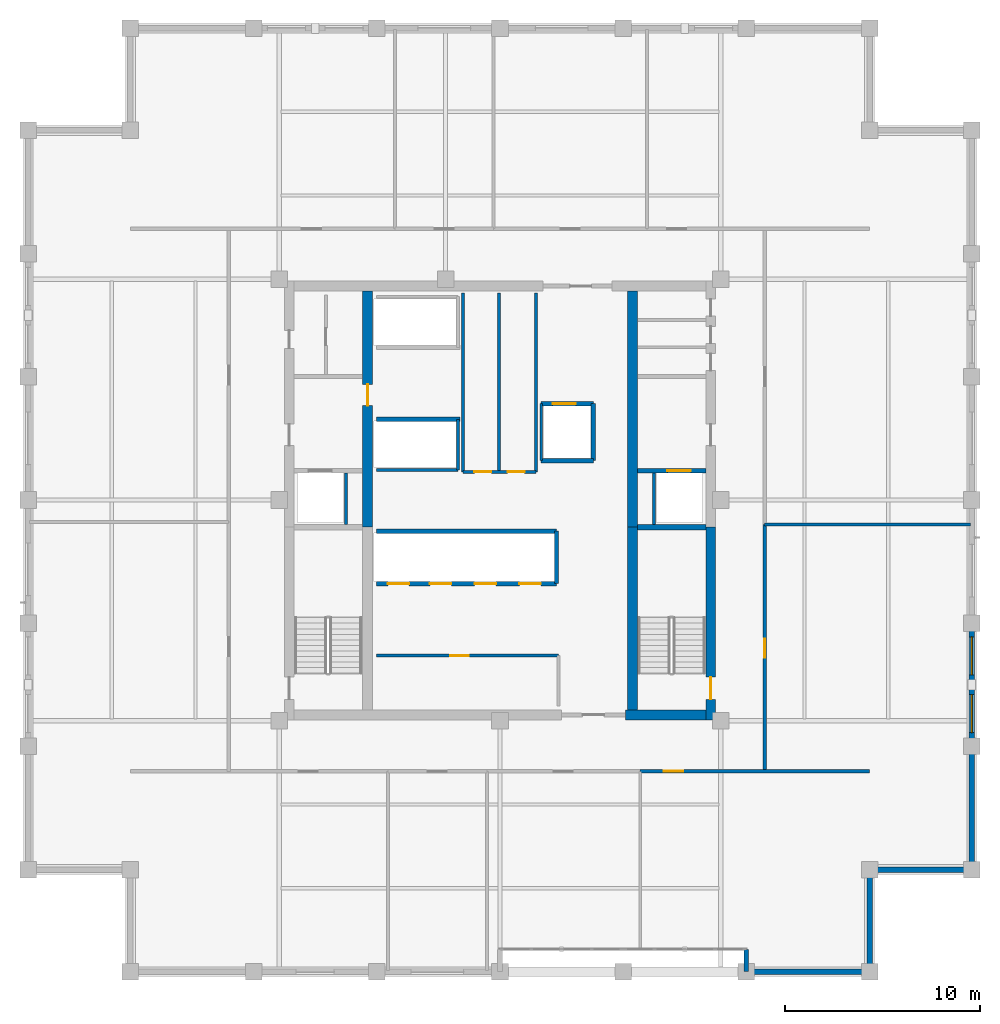
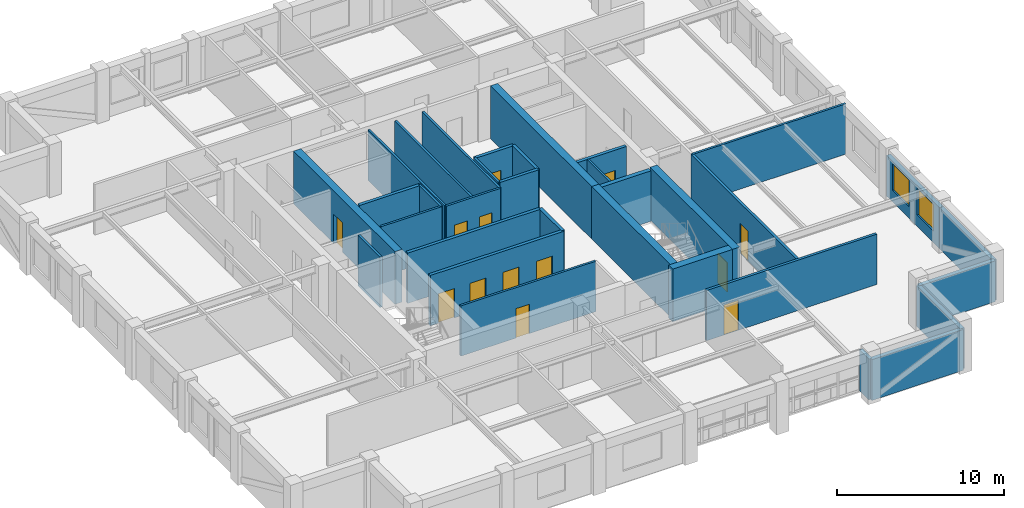
# One storey, part 10 of 13: 33 walls, 13 doors, 2 windows, 15 openings.
"""IFC4 building model written with IfcOpenShell, lengths in metres."""

from ifc_helpers import new_model, si_unit, direction, frame, frame_2d, origin, place, context, subcontext, project, spatial, rectangle, extrude, material, layer, layer_set, type_object, element, fill, save


model = new_model("IFC4")

# Units and contexts
model_context = context("Model", 3, precision=1e-05, world=origin(), true_north=direction((0.0, 1.0)))
body_context = subcontext(model_context, "Body", "Model", "MODEL_VIEW")
ifc_project = project(units=[si_unit("LENGTHUNIT", "METRE"), si_unit("AREAUNIT", "SQUARE_METRE"), si_unit("VOLUMEUNIT", "CUBIC_METRE"), si_unit("PLANEANGLEUNIT", "RADIAN"), si_unit("MASSUNIT", "GRAM", prefix="KILO")], contexts=[model_context])

# Site, building, storey
site_placement = place(None, origin())
site = spatial("IfcSite", under=ifc_project, at=site_placement, CompositionType="ELEMENT")
building_placement = place(site_placement, origin())
building = spatial("IfcBuilding", under=site, at=building_placement, Name="Nhamokura Convention Tower", CompositionType="ELEMENT")
storey_placement = place(building_placement, frame((0.0, 0.0, 206.14990234375)))
storey = spatial("IfcBuildingStorey", under=building, at=storey_placement, Name="L50", CompositionType="ELEMENT", Elevation=206.14990234375)

# Walls
ifc_material_1 = material(Name="Bronze-pigmented precast concrete C45/55", Category="concrete")
ifc_layer_1 = layer(ifc_material_1, 0.280029296875)
ifc_layer_set_1 = layer_set([ifc_layer_1], Name="BronzePrecastSpandrel_280")
wall_type_1 = type_object("IfcWallType", Name="BronzePrecastSpandrel_280", PredefinedType="USERDEFINED", material=ifc_layer_set_1)
wall_1_placement = place(storey_placement, frame((44.666748046875, 7.75, 0.0), z_axis=(0.0, 0.0, 1.0), x_axis=(0.0, 1.0, 0.0)))
element("IfcWall", 1, at=wall_1_placement, inside=storey, type_object=wall_type_1, Name="L50 Scale Slot Cheek Wall SOUTHB", ObjectType="SPANDREL_WALL", PredefinedType="USERDEFINED", context=body_context, shape_type="SweptSolid", body=[
    extrude(rectangle(XDim=1.14990234375, YDim=0.239990234375, at=frame_2d((0.574951171875, 0.0))), origin(), (0.0, 0.0, 1.0), 2.985107421875),
])
for number, where, z_axis, x_axis, name in (
    (2, (51.0, 7.75, 0.0), (0.0, 0.0, 1.0), (-1.0, 0.0, 0.0), "L50 Braced-Bay Precast Wall SOUTH 5"),
    (3, (56.25, 19.333251953125, 0.0), (0.0, 0.0, 1.0), (0.0, -1.0, 0.0), "L50 Braced-Bay Precast Wall EAST 0"),
):
    element("IfcWall", number, at=place(storey_placement, frame(where, z_axis=z_axis, x_axis=x_axis)), inside=storey, type_object=wall_type_1, Name=name, ObjectType="SPANDREL_WALL", PredefinedType="USERDEFINED", context=body_context, shape_type="SweptSolid", body=[
        extrude(rectangle(XDim=6.333251953125, YDim=0.280029296875, at=frame_2d((3.16650390625, 0.0))), origin(), (0.0, 0.0, 1.0), 2.985107421875),
    ])

# Wall, openings, windows
wall_2_placement = place(storey_placement, frame((56.25, 25.666748046875, 0.0), z_axis=(0.0, 0.0, 1.0), x_axis=(0.0, -1.0, 0.0)))
wall_2 = element("IfcWall", 4, at=wall_2_placement, inside=storey, type_object=wall_type_1, Name="L50 Masonry-Frame Wall EAST 1", ObjectType="SPANDREL_WALL", PredefinedType="USERDEFINED", context=body_context, shape_type="SweptSolid", body=[
    extrude(rectangle(XDim=6.33349609375, YDim=0.280029296875, at=frame_2d((3.166748046875, 0.0))), origin(), (0.0, 0.0, 1.0), 2.985107421875),
])
opening_1_placement = place(wall_2_placement, frame((0.708251953125, 0.0, 0.85009765625)))
opening_1 = element("IfcOpeningElement", 5, at=opening_1_placement, cuts=wall_2, Name="Opening W-08", PredefinedType="OPENING", context=body_context, shape_type="SweptSolid", body=[
    extrude(rectangle(XDim=1.949951171875, YDim=1.93505859375, at=frame_2d((0.97509765625, 0.967529296875))), frame((0.0, 0.14990234375, 0.0), z_axis=(0.0, -1.0, 0.0), x_axis=(1.0, 0.0, 0.0)), (0.0, 0.0, 1.0), 0.300048828125),
])
opening_2_placement = place(wall_2_placement, frame((3.675048828125, 0.0, 0.85009765625)))
opening_2 = element("IfcOpeningElement", 6, at=opening_2_placement, cuts=wall_2, Name="Opening W-08", PredefinedType="OPENING", context=body_context, shape_type="SweptSolid", body=[
    extrude(rectangle(XDim=1.949951171875, YDim=1.93505859375, at=frame_2d((0.97509765625, 0.967529296875))), frame((0.0, 0.14990234375, 0.0), z_axis=(0.0, -1.0, 0.0), x_axis=(1.0, 0.0, 0.0)), (0.0, 0.0, 1.0), 0.300048828125),
])
ifc_material_2 = material(Name="Solar-control bronze low-E double glass", Category="glass")
window_type = type_object("IfcWindowType", Name="OfficeModuleWindow_Z3_1950", PartitioningType="SINGLE_PANEL", PredefinedType="WINDOW", material=ifc_material_2)
window_1_placement = place(opening_1_placement, origin())
window_1 = element("IfcWindow", 7, at=window_1_placement, inside=storey, type_object=window_type, Name="L50 Facade Window EAST 1-1", OverallHeight=1.93505859375, OverallWidth=1.949951171875, PartitioningType="SINGLE_PANEL", PredefinedType="WINDOW", context=body_context, shape_type="SweptSolid", body=[
    extrude(rectangle(XDim=1.949951171875, YDim=1.93505859375, at=frame_2d((0.97509765625, 0.967529296875))), frame((0.0, 0.030029296875, 0.0), z_axis=(0.0, -1.0, 0.0), x_axis=(1.0, 0.0, 0.0)), (0.0, 0.0, 1.0), 0.06005859375),
])
fill(opening_1, window_1)
window_2_placement = place(opening_2_placement, origin())
window_2 = element("IfcWindow", 8, at=window_2_placement, inside=storey, type_object=window_type, Name="L50 Facade Window EAST 1-2", OverallHeight=1.93505859375, OverallWidth=1.949951171875, PartitioningType="SINGLE_PANEL", PredefinedType="WINDOW", context=body_context, shape_type="SweptSolid", body=[
    extrude(rectangle(XDim=1.949951171875, YDim=1.93505859375, at=frame_2d((0.97509765625, 0.967529296875))), frame((0.0, 0.030029296875, 0.0), z_axis=(0.0, -1.0, 0.0), x_axis=(1.0, 0.0, 0.0)), (0.0, 0.0, 1.0), 0.06005859375),
])
fill(opening_2, window_2)

# Walls
for number, where, z_axis, x_axis, name in (
    (9, (51.0, 13.0, 0.0), (0.0, 0.0, 1.0), (0.0, -1.0, 0.0), "L50 Notched Corner Wall SE1"),
    (10, (56.25, 13.0, 0.0), (0.0, 0.0, 1.0), (-1.0, 0.0, 0.0), "L50 Notched Corner Wall SE2"),
):
    element("IfcWall", number, at=place(storey_placement, frame(where, z_axis=z_axis, x_axis=x_axis)), inside=storey, type_object=wall_type_1, Name=name, ObjectType="SPANDREL_WALL", PredefinedType="USERDEFINED", context=body_context, shape_type="SweptSolid", body=[
        extrude(rectangle(XDim=5.25, YDim=0.280029296875, at=frame_2d((2.625, 0.0))), origin(), (0.0, 0.0, 1.0), 2.985107421875),
    ])

# Wall, opening, door
ifc_material_3 = material(Name="Concrete C60/75", Category="concrete")
ifc_layer_2 = layer(ifc_material_3, 0.5)
ifc_layer_set_2 = layer_set([ifc_layer_2], Name="CoreShearWall_500")
wall_type_2 = type_object("IfcWallType", Name="CoreShearWall_500", PredefinedType="SHEAR", material=ifc_layer_set_2)
wall_3_placement = place(storey_placement, frame((42.840087890625, 20.699951171875, 0.0), z_axis=(0.0, 0.0, 1.0), x_axis=(0.0, 1.0, 0.0)))
wall_3 = element("IfcWall", 11, at=wall_3_placement, inside=storey, type_object=wall_type_2, Name="L50 Core Shear Wall CW-ES", PredefinedType="SHEAR", context=body_context, shape_type="SweptSolid", body=[
    extrude(rectangle(XDim=9.900146484375, YDim=0.5, at=frame_2d((4.9501953125, 0.0))), origin(), (0.0, 0.0, 1.0), 3.85009765625),
])
opening_3_placement = place(wall_3_placement, frame((1.050048828125, 0.0, 0.0)))
opening_3 = element("IfcOpeningElement", 12, at=opening_3_placement, cuts=wall_3, Name="Opening D-04", PredefinedType="OPENING", context=body_context, shape_type="SweptSolid", body=[
    extrude(rectangle(XDim=1.14990234375, YDim=2.14990234375, at=frame_2d((0.574951171875, 1.074951171875))), frame((0.0, 0.260009765625, 0.0), z_axis=(0.0, -1.0, 0.0), x_axis=(1.0, 0.0, 0.0)), (0.0, 0.0, 1.0), 0.52001953125),
])
ifc_material_4 = material(Name="Fire-rated steel door", Category="steel")
door_type_1 = type_object("IfcDoorType", Name="StairSmokeDoor_1150", OperationType="NOTDEFINED", PredefinedType="DOOR", material=ifc_material_4)
door_1_placement = place(opening_3_placement, origin())
door_1 = element("IfcDoor", 13, at=door_1_placement, inside=storey, type_object=door_type_1, Name="L50 Core Door INT-L50-D-ST02", OperationType="SINGLE_SWING_RIGHT", OverallHeight=2.14990234375, OverallWidth=1.14990234375, PredefinedType="DOOR", context=body_context, shape_type="SweptSolid", body=[
    extrude(rectangle(XDim=1.14990234375, YDim=2.14990234375, at=frame_2d((0.574951171875, 1.074951171875))), frame((0.0, 0.02490234375, 0.0), z_axis=(0.0, -1.0, 0.0), x_axis=(1.0, 0.0, 0.0)), (0.0, 0.0, 1.0), 0.050048828125),
])
fill(opening_3, door_1)

# Wall
wall_4_placement = place(storey_placement, frame((38.449951171875, 20.949951171875, 0.0), z_axis=(0.0, 0.0, 1.0), x_axis=(1.0, 0.0, 0.0)))
element("IfcWall", 14, at=wall_4_placement, inside=storey, type_object=wall_type_2, Name="L50 Core Shear Wall CW-S2", PredefinedType="SHEAR", context=body_context, shape_type="SweptSolid", body=[
    extrude(rectangle(XDim=4.14013671875, YDim=0.5, at=frame_2d((2.070068359375, 0.0))), origin(), (0.0, 0.0, 1.0), 3.85009765625),
])

# Wall, opening, door
wall_5_placement = place(storey_placement, frame((25.18994140625, 30.60009765625, 0.0), z_axis=(0.0, 0.0, 1.0), x_axis=(0.0, 1.0, 0.0)))
wall_5 = element("IfcWall", 15, at=wall_5_placement, inside=storey, type_object=wall_type_2, Name="L50 Core Shear Wall CW-IWN", PredefinedType="SHEAR", context=body_context, shape_type="SweptSolid", body=[
    extrude(rectangle(XDim=12.14990234375, YDim=0.5, at=frame_2d((6.074951171875, 0.0))), origin(), (0.0, 0.0, 1.0), 3.85009765625),
])
opening_4_placement = place(wall_5_placement, frame((6.25, 0.0, 0.0)))
opening_4 = element("IfcOpeningElement", 16, at=opening_4_placement, cuts=wall_5, Name="Opening D-05", PredefinedType="OPENING", context=body_context, shape_type="SweptSolid", body=[
    extrude(rectangle(XDim=1.10009765625, YDim=2.14990234375, at=frame_2d((0.550048828125, 1.074951171875))), frame((0.0, 0.260009765625, 0.0), z_axis=(0.0, -1.0, 0.0), x_axis=(1.0, 0.0, 0.0)), (0.0, 0.0, 1.0), 0.52001953125),
])
ifc_material_5 = material(Name="Fire-rated steel door", Category="steel")
door_type_2 = type_object("IfcDoorType", Name="FireLobbyDoor_1100", OperationType="NOTDEFINED", PredefinedType="DOOR", material=ifc_material_5)
door_2_placement = place(opening_4_placement, origin())
door_2 = element("IfcDoor", 17, at=door_2_placement, inside=storey, type_object=door_type_2, Name="L50 Core Door INT-L50-D-B3LOB", OperationType="SINGLE_SWING_LEFT", OverallHeight=2.14990234375, OverallWidth=1.10009765625, PredefinedType="DOOR", context=body_context, shape_type="SweptSolid", body=[
    extrude(rectangle(XDim=1.10009765625, YDim=2.14990234375, at=frame_2d((0.550048828125, 1.074951171875))), frame((0.0, 0.02490234375, 0.0), z_axis=(0.0, -1.0, 0.0), x_axis=(1.0, 0.0, 0.0)), (0.0, 0.0, 1.0), 0.050048828125),
])
fill(opening_4, door_2)

# Walls
wall_6_placement = place(storey_placement, frame((38.81005859375, 21.199951171875, 0.0), z_axis=(0.0, 0.0, 1.0), x_axis=(0.0, 1.0, 0.0)))
element("IfcWall", 18, at=wall_6_placement, inside=storey, type_object=wall_type_2, Name="L50 Core Shear Wall CW-IES", PredefinedType="SHEAR", context=body_context, shape_type="SweptSolid", body=[
    extrude(rectangle(XDim=9.400146484375, YDim=0.5, at=frame_2d((4.7001953125, 0.0))), origin(), (0.0, 0.0, 1.0), 3.85009765625),
])
wall_7_placement = place(storey_placement, frame((38.81005859375, 30.60009765625, 0.0), z_axis=(0.0, 0.0, 1.0), x_axis=(0.0, 1.0, 0.0)))
element("IfcWall", 19, at=wall_7_placement, inside=storey, type_object=wall_type_2, Name="L50 Core Shear Wall CW-IEN", PredefinedType="SHEAR", context=body_context, shape_type="SweptSolid", body=[
    extrude(rectangle(XDim=12.14990234375, YDim=0.5, at=frame_2d((6.074951171875, 0.0))), origin(), (0.0, 0.0, 1.0), 3.85009765625),
])

# Wall, opening, door
ifc_material_6 = material(Name="Fire-rated gypsum and masonry partition", Category="masonry")
ifc_layer_3 = layer(ifc_material_6, 0.179931640625)
ifc_layer_set_3 = layer_set([ifc_layer_3], Name="CorridorRatedWall_180")
wall_type_3 = type_object("IfcWallType", Name="CorridorRatedWall_180", PredefinedType="STANDARD", material=ifc_layer_set_3)
wall_8_placement = place(storey_placement, frame((39.208251953125, 18.050048828125, 0.0), z_axis=(0.0, 0.0, 1.0), x_axis=(1.0, 0.0, 0.0)))
wall_8 = element("IfcWall", 20, at=wall_8_placement, inside=storey, type_object=wall_type_3, Name="L50 Wall INT-L50-CW-S03", PredefinedType="STANDARD", context=body_context, shape_type="SweptSolid", body=[
    extrude(rectangle(XDim=11.791748046875, YDim=0.179931640625, at=frame_2d((5.89599609375, 0.0))), origin(), (0.0, 0.0, 1.0), 3.68505859375),
])
opening_5_placement = place(wall_8_placement, frame((1.220703125, 0.0, 0.0)))
opening_5 = element("IfcOpeningElement", 21, at=opening_5_placement, cuts=wall_8, Name="Opening D-08", PredefinedType="OPENING", context=body_context, shape_type="SweptSolid", body=[
    extrude(rectangle(XDim=0.97998046875, YDim=2.199951171875, at=frame_2d((0.489990234375, 1.10009765625))), frame((0.0, 0.099853515625, 0.0), z_axis=(0.0, -1.0, 0.0), x_axis=(1.0, 0.0, 0.0)), (0.0, 0.0, 1.0), 0.199951171875),
])
ifc_material_7 = material(Name="Solid oak hardwood", Category="wood")
door_type_3 = type_object("IfcDoorType", Name="OfficeEntryDoor_980", OperationType="NOTDEFINED", PredefinedType="DOOR", material=ifc_material_7)
door_3_placement = place(opening_5_placement, origin())
door_3 = element("IfcDoor", 22, at=door_3_placement, inside=storey, type_object=door_type_3, Name="L50 Private Office S04 Door", OperationType="SINGLE_SWING_RIGHT", OverallHeight=2.199951171875, OverallWidth=0.97998046875, PredefinedType="DOOR", context=body_context, shape_type="SweptSolid", body=[
    extrude(rectangle(XDim=0.97998046875, YDim=2.199951171875, at=frame_2d((0.489990234375, 1.10009765625))), frame((0.0, 0.02490234375, 0.0), z_axis=(0.0, -1.0, 0.0), x_axis=(1.0, 0.0, 0.0)), (0.0, 0.0, 1.0), 0.050048828125),
])
fill(opening_5, door_3)

wall_9_placement = place(storey_placement, frame((45.60009765625, 18.050048828125, 0.0), z_axis=(0.0, 0.0, 1.0), x_axis=(0.0, 1.0, 0.0)))
wall_9 = element("IfcWall", 23, at=wall_9_placement, inside=storey, type_object=wall_type_3, Name="L50 Wall INT-L50-CW-E00", PredefinedType="STANDARD", context=body_context, shape_type="SweptSolid", body=[
    extrude(rectangle(XDim=12.699951171875, YDim=0.179931640625, at=frame_2d((6.35009765625, 0.0))), origin(), (0.0, 0.0, 1.0), 3.68505859375),
])
opening_6_placement = place(wall_9_placement, frame((5.85009765625, 0.0, 0.0)))
opening_6 = element("IfcOpeningElement", 24, at=opening_6_placement, cuts=wall_9, Name="Opening D-08", PredefinedType="OPENING", context=body_context, shape_type="SweptSolid", body=[
    extrude(rectangle(XDim=0.97998046875, YDim=2.199951171875, at=frame_2d((0.489990234375, 1.10009765625))), frame((0.0, 0.099853515625, 0.0), z_axis=(0.0, -1.0, 0.0), x_axis=(1.0, 0.0, 0.0)), (0.0, 0.0, 1.0), 0.199951171875),
])
door_4_placement = place(opening_6_placement, origin())
door_4 = element("IfcDoor", 25, at=door_4_placement, inside=storey, type_object=door_type_3, Name="L50 Open Plan Office E01 Door", OperationType="SINGLE_SWING_LEFT", OverallHeight=2.199951171875, OverallWidth=0.97998046875, PredefinedType="DOOR", context=body_context, shape_type="SweptSolid", body=[
    extrude(rectangle(XDim=0.97998046875, YDim=2.199951171875, at=frame_2d((0.489990234375, 1.10009765625))), frame((0.0, 0.02490234375, 0.0), z_axis=(0.0, -1.0, 0.0), x_axis=(1.0, 0.0, 0.0)), (0.0, 0.0, 1.0), 0.050048828125),
])
fill(opening_6, door_4)

ifc_material_8 = material(Name="Autoclaved concrete blockwork", Category="masonry")
ifc_layer_4 = layer(ifc_material_8, 0.219970703125)
ifc_layer_set_4 = layer_set([ifc_layer_4], Name="FireLobbyWall_220")
wall_type_4 = type_object("IfcWallType", Name="FireLobbyWall_220", PredefinedType="STANDARD", material=ifc_layer_set_4)
wall_10_placement = place(storey_placement, frame((39.06005859375, 33.5, 0.0), z_axis=(0.0, 0.0, 1.0), x_axis=(1.0, 0.0, 0.0)))
wall_10 = element("IfcWall", 26, at=wall_10_placement, inside=storey, type_object=wall_type_4, Name="L50 Wall INT-L50-FFE-S", PredefinedType="STANDARD", context=body_context, shape_type="SweptSolid", body=[
    extrude(rectangle(XDim=3.530029296875, YDim=0.219970703125, at=frame_2d((1.76513671875, 0.0))), origin(), (0.0, 0.0, 1.0), 3.68505859375),
])
opening_7_placement = place(wall_10_placement, frame((1.550048828125, 0.0, 0.0)))
opening_7 = element("IfcOpeningElement", 27, at=opening_7_placement, cuts=wall_10, Name="Opening LD-02", PredefinedType="OPENING", context=body_context, shape_type="SweptSolid", body=[
    extrude(rectangle(XDim=1.199951171875, YDim=2.199951171875, at=frame_2d((0.60009765625, 1.10009765625))), frame((0.0, 0.119873046875, 0.0), z_axis=(0.0, -1.0, 0.0), x_axis=(1.0, 0.0, 0.0)), (0.0, 0.0, 1.0), 0.239990234375),
])
ifc_material_9 = material(Name="Anodised bronze stainless steel", Category="steel")
door_type_4 = type_object("IfcDoorType", Name="LiftLandingDoor_FireService", OperationType="DOUBLE_DOOR_SLIDING", PredefinedType="DOOR", material=ifc_material_9)
door_5_placement = place(opening_7_placement, origin())
door_5 = element("IfcDoor", 28, at=door_5_placement, inside=storey, type_object=door_type_4, Name="L50 Firefighting Lift LF-02 Door", OperationType="DOUBLE_DOOR_SLIDING", OverallHeight=2.199951171875, OverallWidth=1.199951171875, PredefinedType="DOOR", context=body_context, shape_type="SweptSolid", body=[
    extrude(rectangle(XDim=1.199951171875, YDim=2.199951171875, at=frame_2d((0.60009765625, 1.10009765625))), frame((0.0, 0.02490234375, 0.0), z_axis=(0.0, -1.0, 0.0), x_axis=(1.0, 0.0, 0.0)), (0.0, 0.0, 1.0), 0.050048828125),
])
fill(opening_7, door_5)

# Wall, openings, doors
wall_11_placement = place(storey_placement, frame((25.64990234375, 27.699951171875, 0.0), z_axis=(0.0, 0.0, 1.0), x_axis=(1.0, 0.0, 0.0)))
wall_11 = element("IfcWall", 29, at=wall_11_placement, inside=storey, type_object=wall_type_4, Name="L50 Wall INT-L50-B2S", PredefinedType="STANDARD", context=body_context, shape_type="SweptSolid", body=[
    extrude(rectangle(XDim=9.25, YDim=0.219970703125, at=frame_2d((4.625, 0.0))), origin(), (0.0, 0.0, 1.0), 3.68505859375),
])
opening_8_placement = place(wall_11_placement, frame((0.580078125, 0.0, 0.0)))
opening_8 = element("IfcOpeningElement", 30, at=opening_8_placement, cuts=wall_11, Name="Opening LD-01", PredefinedType="OPENING", context=body_context, shape_type="SweptSolid", body=[
    extrude(rectangle(XDim=1.10009765625, YDim=2.14990234375, at=frame_2d((0.550048828125, 1.074951171875))), frame((0.0, 0.119873046875, 0.0), z_axis=(0.0, -1.0, 0.0), x_axis=(1.0, 0.0, 0.0)), (0.0, 0.0, 1.0), 0.239990234375),
])
opening_9_placement = place(wall_11_placement, frame((2.75, 0.0, 0.0)))
opening_9 = element("IfcOpeningElement", 31, at=opening_9_placement, cuts=wall_11, Name="Opening LD-01", PredefinedType="OPENING", context=body_context, shape_type="SweptSolid", body=[
    extrude(rectangle(XDim=1.10009765625, YDim=2.14990234375, at=frame_2d((0.550048828125, 1.074951171875))), frame((0.0, 0.119873046875, 0.0), z_axis=(0.0, -1.0, 0.0), x_axis=(1.0, 0.0, 0.0)), (0.0, 0.0, 1.0), 0.239990234375),
])
opening_10_placement = place(wall_11_placement, frame((5.050048828125, 0.0, 0.0)))
opening_10 = element("IfcOpeningElement", 32, at=opening_10_placement, cuts=wall_11, Name="Opening LD-01", PredefinedType="OPENING", context=body_context, shape_type="SweptSolid", body=[
    extrude(rectangle(XDim=1.10009765625, YDim=2.14990234375, at=frame_2d((0.550048828125, 1.074951171875))), frame((0.0, 0.119873046875, 0.0), z_axis=(0.0, -1.0, 0.0), x_axis=(1.0, 0.0, 0.0)), (0.0, 0.0, 1.0), 0.239990234375),
])
opening_11_placement = place(wall_11_placement, frame((7.35009765625, 0.0, 0.0)))
opening_11 = element("IfcOpeningElement", 33, at=opening_11_placement, cuts=wall_11, Name="Opening LD-01", PredefinedType="OPENING", context=body_context, shape_type="SweptSolid", body=[
    extrude(rectangle(XDim=1.10009765625, YDim=2.14990234375, at=frame_2d((0.550048828125, 1.074951171875))), frame((0.0, 0.119873046875, 0.0), z_axis=(0.0, -1.0, 0.0), x_axis=(1.0, 0.0, 0.0)), (0.0, 0.0, 1.0), 0.239990234375),
])
ifc_material_10 = material(Name="Anodised bronze stainless steel", Category="steel")
door_type_5 = type_object("IfcDoorType", Name="LiftLandingDoor_Passenger", OperationType="DOUBLE_DOOR_SLIDING", PredefinedType="DOOR", material=ifc_material_10)
door_6_placement = place(opening_8_placement, origin())
door_6 = element("IfcDoor", 34, at=door_6_placement, inside=storey, type_object=door_type_5, Name="L50 Lift LP-05 Landing Door", OperationType="DOUBLE_DOOR_SLIDING", OverallHeight=2.14990234375, OverallWidth=1.10009765625, PredefinedType="DOOR", context=body_context, shape_type="SweptSolid", body=[
    extrude(rectangle(XDim=1.10009765625, YDim=2.14990234375, at=frame_2d((0.550048828125, 1.074951171875))), frame((0.0, 0.02490234375, 0.0), z_axis=(0.0, -1.0, 0.0), x_axis=(1.0, 0.0, 0.0)), (0.0, 0.0, 1.0), 0.050048828125),
])
fill(opening_8, door_6)
door_7_placement = place(opening_9_placement, origin())
door_7 = element("IfcDoor", 35, at=door_7_placement, inside=storey, type_object=door_type_5, Name="L50 Lift LP-06 Landing Door", OperationType="DOUBLE_DOOR_SLIDING", OverallHeight=2.14990234375, OverallWidth=1.10009765625, PredefinedType="DOOR", context=body_context, shape_type="SweptSolid", body=[
    extrude(rectangle(XDim=1.10009765625, YDim=2.14990234375, at=frame_2d((0.550048828125, 1.074951171875))), frame((0.0, 0.02490234375, 0.0), z_axis=(0.0, -1.0, 0.0), x_axis=(1.0, 0.0, 0.0)), (0.0, 0.0, 1.0), 0.050048828125),
])
fill(opening_9, door_7)
door_8_placement = place(opening_10_placement, origin())
door_8 = element("IfcDoor", 36, at=door_8_placement, inside=storey, type_object=door_type_5, Name="L50 Lift LP-07 Landing Door", OperationType="DOUBLE_DOOR_SLIDING", OverallHeight=2.14990234375, OverallWidth=1.10009765625, PredefinedType="DOOR", context=body_context, shape_type="SweptSolid", body=[
    extrude(rectangle(XDim=1.10009765625, YDim=2.14990234375, at=frame_2d((0.550048828125, 1.074951171875))), frame((0.0, 0.02490234375, 0.0), z_axis=(0.0, -1.0, 0.0), x_axis=(1.0, 0.0, 0.0)), (0.0, 0.0, 1.0), 0.050048828125),
])
fill(opening_10, door_8)
door_9_placement = place(opening_11_placement, origin())
door_9 = element("IfcDoor", 37, at=door_9_placement, inside=storey, type_object=door_type_5, Name="L50 Lift LP-08 Landing Door", OperationType="DOUBLE_DOOR_SLIDING", OverallHeight=2.14990234375, OverallWidth=1.10009765625, PredefinedType="DOOR", context=body_context, shape_type="SweptSolid", body=[
    extrude(rectangle(XDim=1.10009765625, YDim=2.14990234375, at=frame_2d((0.550048828125, 1.074951171875))), frame((0.0, 0.02490234375, 0.0), z_axis=(0.0, -1.0, 0.0), x_axis=(1.0, 0.0, 0.0)), (0.0, 0.0, 1.0), 0.050048828125),
])
fill(opening_11, door_9)

# Walls
wall_12_placement = place(storey_placement, frame((25.64990234375, 30.39990234375, 0.0), z_axis=(0.0, 0.0, 1.0), x_axis=(1.0, 0.0, 0.0)))
element("IfcWall", 38, at=wall_12_placement, inside=storey, type_object=wall_type_4, Name="L50 Wall INT-L50-B2N", PredefinedType="STANDARD", context=body_context, shape_type="SweptSolid", body=[
    extrude(rectangle(XDim=9.25, YDim=0.219970703125, at=frame_2d((4.625, 0.0))), origin(), (0.0, 0.0, 1.0), 3.68505859375),
])
wall_13_placement = place(storey_placement, frame((34.89990234375, 27.699951171875, 0.0), z_axis=(0.0, 0.0, 1.0), x_axis=(0.0, 1.0, 0.0)))
element("IfcWall", 39, at=wall_13_placement, inside=storey, type_object=wall_type_4, Name="L50 Wall INT-L50-B2E", PredefinedType="STANDARD", context=body_context, shape_type="SweptSolid", body=[
    extrude(rectangle(XDim=2.699951171875, YDim=0.219970703125, at=frame_2d((1.35009765625, 0.0))), origin(), (0.0, 0.0, 1.0), 3.68505859375),
])
wall_14_placement = place(storey_placement, frame((25.64990234375, 36.14990234375, 0.0), z_axis=(0.0, 0.0, 1.0), x_axis=(1.0, 0.0, 0.0)))
element("IfcWall", 40, at=wall_14_placement, inside=storey, type_object=wall_type_4, Name="L50 Wall INT-L50-B3S", PredefinedType="STANDARD", context=body_context, shape_type="SweptSolid", body=[
    extrude(rectangle(XDim=4.300048828125, YDim=0.219970703125, at=frame_2d((2.14990234375, 0.0))), origin(), (0.0, 0.0, 1.0), 3.68505859375),
])

# Wall, opening, door
wall_15_placement = place(storey_placement, frame((34.1201171875, 36.949951171875, 0.0), z_axis=(0.0, 0.0, 1.0), x_axis=(1.0, 0.0, 0.0)))
wall_15 = element("IfcWall", 41, at=wall_15_placement, inside=storey, type_object=wall_type_4, Name="L50 Wall INT-L50-LSN", PredefinedType="STANDARD", context=body_context, shape_type="SweptSolid", body=[
    extrude(rectangle(XDim=2.679931640625, YDim=0.219970703125, at=frame_2d((1.33984375, 0.0))), origin(), (0.0, 0.0, 1.0), 3.68505859375),
])
opening_12_placement = place(wall_15_placement, frame((0.580078125, 0.0, 0.0)))
opening_12 = element("IfcOpeningElement", 42, at=opening_12_placement, cuts=wall_15, Name="Opening LD-02", PredefinedType="OPENING", context=body_context, shape_type="SweptSolid", body=[
    extrude(rectangle(XDim=1.199951171875, YDim=2.199951171875, at=frame_2d((0.60009765625, 1.10009765625))), frame((0.0, 0.119873046875, 0.0), z_axis=(0.0, -1.0, 0.0), x_axis=(1.0, 0.0, 0.0)), (0.0, 0.0, 1.0), 0.239990234375),
])
door_10_placement = place(opening_12_placement, origin())
door_10 = element("IfcDoor", 43, at=door_10_placement, inside=storey, type_object=door_type_4, Name="L50 Service Lift LS-01 Door", OperationType="DOUBLE_DOOR_SLIDING", OverallHeight=2.199951171875, OverallWidth=1.199951171875, PredefinedType="DOOR", context=body_context, shape_type="SweptSolid", body=[
    extrude(rectangle(XDim=1.199951171875, YDim=2.199951171875, at=frame_2d((0.60009765625, 1.10009765625))), frame((0.0, 0.02490234375, 0.0), z_axis=(0.0, -1.0, 0.0), x_axis=(1.0, 0.0, 0.0)), (0.0, 0.0, 1.0), 0.050048828125),
])
fill(opening_12, door_10)

# Walls
wall_16_placement = place(storey_placement, frame((36.800048828125, 34.02001953125, 0.0), z_axis=(0.0, 0.0, 1.0), x_axis=(0.0, 1.0, 0.0)))
element("IfcWall", 44, at=wall_16_placement, inside=storey, type_object=wall_type_4, Name="L50 Wall INT-L50-LSE", PredefinedType="STANDARD", context=body_context, shape_type="SweptSolid", body=[
    extrude(rectangle(XDim=2.929931640625, YDim=0.219970703125, at=frame_2d((1.46484375, 0.0))), origin(), (0.0, 0.0, 1.0), 3.68505859375),
])
wall_17_placement = place(storey_placement, frame((34.1201171875, 34.02001953125, 0.0), z_axis=(0.0, 0.0, 1.0), x_axis=(1.0, 0.0, 0.0)))
element("IfcWall", 45, at=wall_17_placement, inside=storey, type_object=wall_type_4, Name="L50 Wall INT-L50-LSS", PredefinedType="STANDARD", context=body_context, shape_type="SweptSolid", body=[
    extrude(rectangle(XDim=2.679931640625, YDim=0.219970703125, at=frame_2d((1.33984375, 0.0))), origin(), (0.0, 0.0, 1.0), 3.68505859375),
])
ifc_material_11 = material(Name="Acoustic gypsum stud partition", Category="masonry")
ifc_layer_5 = layer(ifc_material_11, 0.14990234375)
ifc_layer_set_5 = layer_set([ifc_layer_5], Name="InteriorPartition_150")
wall_type_5 = type_object("IfcWallType", Name="InteriorPartition_150", PredefinedType="STANDARD", material=ifc_layer_set_5)
for number, where, z_axis, x_axis, name in (
    (46, (24.080078125, 30.75, 0.0), (0.0, 0.0, 1.0), (0.0, 1.0, 0.0), "L50 Wall INT-L50-FF1-E"),
    (47, (39.919921875, 30.75, 0.0), (0.0, 0.0, 1.0), (0.0, 1.0, 0.0), "L50 Wall INT-L50-FF2-W"),
):
    element("IfcWall", number, at=place(storey_placement, frame(where, z_axis=z_axis, x_axis=x_axis)), inside=storey, type_object=wall_type_5, Name=name, PredefinedType="STANDARD", context=body_context, shape_type="SweptSolid", body=[
        extrude(rectangle(XDim=2.64990234375, YDim=0.14990234375, at=frame_2d((1.324951171875, 0.0))), origin(), (0.0, 0.0, 1.0), 3.68505859375),
    ])

# Wall, opening, door
wall_18_placement = place(storey_placement, frame((25.64990234375, 24.0, 0.0), z_axis=(0.0, 0.0, 1.0), x_axis=(1.0, 0.0, 0.0)))
wall_18 = element("IfcWall", 48, at=wall_18_placement, inside=storey, type_object=wall_type_5, Name="L50 Wall INT-L50-B1R-N", PredefinedType="STANDARD", context=body_context, shape_type="SweptSolid", body=[
    extrude(rectangle(XDim=9.35009765625, YDim=0.14990234375, at=frame_2d((4.675048828125, 0.0))), origin(), (0.0, 0.0, 1.0), 3.68505859375),
])
opening_13_placement = place(wall_18_placement, frame((3.800048828125, 0.0, 0.0)))
opening_13 = element("IfcOpeningElement", 49, at=opening_13_placement, cuts=wall_18, Name="Opening D-09", PredefinedType="OPENING", context=body_context, shape_type="SweptSolid", body=[
    extrude(rectangle(XDim=0.949951171875, YDim=2.14990234375, at=frame_2d((0.47509765625, 1.074951171875))), frame((0.0, 0.0849609375, 0.0), z_axis=(0.0, -1.0, 0.0), x_axis=(1.0, 0.0, 0.0)), (0.0, 0.0, 1.0), 0.169921875),
])
ifc_material_12 = material(Name="Solid oak hardwood", Category="wood")
door_type_6 = type_object("IfcDoorType", Name="MeetingRoomDoor_950", OperationType="NOTDEFINED", PredefinedType="DOOR", material=ifc_material_12)
door_11_placement = place(opening_13_placement, origin())
door_11 = element("IfcDoor", 50, at=door_11_placement, inside=storey, type_object=door_type_6, Name="L50 Reclaimed Briefing Room Door", OperationType="SINGLE_SWING_LEFT", OverallHeight=2.14990234375, OverallWidth=0.949951171875, PredefinedType="DOOR", context=body_context, shape_type="SweptSolid", body=[
    extrude(rectangle(XDim=0.949951171875, YDim=2.14990234375, at=frame_2d((0.47509765625, 1.074951171875))), frame((0.0, 0.02490234375, 0.0), z_axis=(0.0, -1.0, 0.0), x_axis=(1.0, 0.0, 0.0)), (0.0, 0.0, 1.0), 0.050048828125),
])
fill(opening_13, door_11)

# Walls
wall_19_placement = place(storey_placement, frame((25.64990234375, 33.550048828125, 0.0), z_axis=(0.0, 0.0, 1.0), x_axis=(1.0, 0.0, 0.0)))
element("IfcWall", 51, at=wall_19_placement, inside=storey, type_object=wall_type_5, Name="L50 Wall INT-L50-B3A-S", PredefinedType="STANDARD", context=body_context, shape_type="SweptSolid", body=[
    extrude(rectangle(XDim=4.2001953125, YDim=0.14990234375, at=frame_2d((2.10009765625, 0.0))), origin(), (0.0, 0.0, 1.0), 3.68505859375),
])
wall_20_placement = place(storey_placement, frame((29.85009765625, 33.550048828125, 0.0), z_axis=(0.0, 0.0, 1.0), x_axis=(0.0, 1.0, 0.0)))
element("IfcWall", 52, at=wall_20_placement, inside=storey, type_object=wall_type_5, Name="L50 Wall INT-L50-B3A-E", PredefinedType="STANDARD", context=body_context, shape_type="SweptSolid", body=[
    extrude(rectangle(XDim=2.599853515625, YDim=0.14990234375, at=frame_2d((1.2998046875, 0.0))), origin(), (0.0, 0.0, 1.0), 3.68505859375),
])
for number, where, z_axis, x_axis, name in (
    (53, (30.10009765625, 33.449951171875, 0.0), (0.0, 0.0, 1.0), (0.0, 1.0, 0.0), "L50 Wall INT-L50-ST03W"),
    (54, (31.949951171875, 33.449951171875, 0.0), (0.0, 0.0, 1.0), (0.0, 1.0, 0.0), "L50 Wall INT-L50-ST03M"),
    (55, (33.85009765625, 33.449951171875, 0.0), (0.0, 0.0, 1.0), (0.0, 1.0, 0.0), "L50 Wall INT-L50-ST03E"),
):
    element("IfcWall", number, at=place(storey_placement, frame(where, z_axis=z_axis, x_axis=x_axis)), inside=storey, type_object=wall_type_5, Name=name, PredefinedType="STANDARD", context=body_context, shape_type="SweptSolid", body=[
        extrude(rectangle(XDim=9.199951171875, YDim=0.14990234375, at=frame_2d((4.60009765625, 0.0))), origin(), (0.0, 0.0, 1.0), 3.68505859375),
    ])

# Wall, openings, doors
wall_21_placement = place(storey_placement, frame((30.10009765625, 33.449951171875, 0.0), z_axis=(0.0, 0.0, 1.0), x_axis=(1.0, 0.0, 0.0)))
wall_21 = element("IfcWall", 56, at=wall_21_placement, inside=storey, type_object=wall_type_5, Name="L50 Wall INT-L50-ST03S", PredefinedType="STANDARD", context=body_context, shape_type="SweptSolid", body=[
    extrude(rectangle(XDim=3.75, YDim=0.14990234375, at=frame_2d((1.875, 0.0))), origin(), (0.0, 0.0, 1.0), 3.68505859375),
])
opening_14_placement = place(wall_21_placement, frame((0.580078125, 0.0, 0.0)))
opening_14 = element("IfcOpeningElement", 57, at=opening_14_placement, cuts=wall_21, Name="Opening D-11", PredefinedType="OPENING", context=body_context, shape_type="SweptSolid", body=[
    extrude(rectangle(XDim=0.8798828125, YDim=2.10009765625, at=frame_2d((0.43994140625, 1.050048828125))), frame((0.0, 0.0849609375, 0.0), z_axis=(0.0, -1.0, 0.0), x_axis=(1.0, 0.0, 0.0)), (0.0, 0.0, 1.0), 0.169921875),
])
opening_15_placement = place(wall_21_placement, frame((2.2900390625, 0.0, 0.0)))
opening_15 = element("IfcOpeningElement", 58, at=opening_15_placement, cuts=wall_21, Name="Opening D-11", PredefinedType="OPENING", context=body_context, shape_type="SweptSolid", body=[
    extrude(rectangle(XDim=0.8798828125, YDim=2.10009765625, at=frame_2d((0.43994140625, 1.050048828125))), frame((0.0, 0.0849609375, 0.0), z_axis=(0.0, -1.0, 0.0), x_axis=(1.0, 0.0, 0.0)), (0.0, 0.0, 1.0), 0.169921875),
])
ifc_material_13 = material(Name="Solid oak hardwood", Category="wood")
door_type_7 = type_object("IfcDoorType", Name="BathroomDoor_880", OperationType="NOTDEFINED", PredefinedType="DOOR", material=ifc_material_13)
door_12_placement = place(opening_14_placement, origin())
door_12 = element("IfcDoor", 59, at=door_12_placement, inside=storey, type_object=door_type_7, Name="L50 Wellness Suite Door", OperationType="SINGLE_SWING_LEFT", OverallHeight=2.10009765625, OverallWidth=0.8798828125, PredefinedType="DOOR", context=body_context, shape_type="SweptSolid", body=[
    extrude(rectangle(XDim=0.8798828125, YDim=2.10009765625, at=frame_2d((0.43994140625, 1.050048828125))), frame((0.0, 0.02490234375, 0.0), z_axis=(0.0, -1.0, 0.0), x_axis=(1.0, 0.0, 0.0)), (0.0, 0.0, 1.0), 0.050048828125),
])
fill(opening_14, door_12)
door_13_placement = place(opening_15_placement, origin())
door_13 = element("IfcDoor", 60, at=door_13_placement, inside=storey, type_object=door_type_7, Name="L50 Records Archive Door", OperationType="SINGLE_SWING_RIGHT", OverallHeight=2.10009765625, OverallWidth=0.8798828125, PredefinedType="DOOR", context=body_context, shape_type="SweptSolid", body=[
    extrude(rectangle(XDim=0.8798828125, YDim=2.10009765625, at=frame_2d((0.43994140625, 1.050048828125))), frame((0.0, 0.02490234375, 0.0), z_axis=(0.0, -1.0, 0.0), x_axis=(1.0, 0.0, 0.0)), (0.0, 0.0, 1.0), 0.050048828125),
])
fill(opening_15, door_13)

# Walls
wall_22_placement = place(storey_placement, frame((34.1201171875, 34.02001953125, 0.0), z_axis=(0.0, 0.0, 1.0), x_axis=(0.0, 1.0, 0.0)))
element("IfcWall", 61, at=wall_22_placement, inside=storey, type_object=wall_type_5, Name="L50 Wall INT-L50-LSW", PredefinedType="STANDARD", context=body_context, shape_type="SweptSolid", body=[
    extrude(rectangle(XDim=2.929931640625, YDim=0.14990234375, at=frame_2d((1.46484375, 0.0))), origin(), (0.0, 0.0, 1.0), 3.68505859375),
])
wall_23_placement = place(storey_placement, frame((45.60009765625, 30.75, 0.0), z_axis=(0.0, 0.0, 1.0), x_axis=(1.0, 0.0, 0.0)))
element("IfcWall", 62, at=wall_23_placement, inside=storey, type_object=wall_type_5, Name="L50 Wall INT-L50-RW-E01", PredefinedType="STANDARD", context=body_context, shape_type="SweptSolid", body=[
    extrude(rectangle(XDim=10.58984375, YDim=0.14990234375, at=frame_2d((5.294921875, 0.0))), origin(), (0.0, 0.0, 1.0), 3.68505859375),
])
ifc_material_14 = material(Name="Concrete C50/60", Category="concrete")
ifc_layer_6 = layer(ifc_material_14, 0.300048828125)
ifc_layer_set_6 = layer_set([ifc_layer_6], Name="ShaftEnclosureWall_300")
wall_type_6 = type_object("IfcWallType", Name="ShaftEnclosureWall_300", PredefinedType="SHEAR", material=ifc_layer_set_6)
wall_24_placement = place(storey_placement, frame((39.06005859375, 30.60009765625, 0.0), z_axis=(0.0, 0.0, 1.0), x_axis=(1.0, 0.0, 0.0)))
element("IfcWall", 63, at=wall_24_placement, inside=storey, type_object=wall_type_6, Name="L50 Wall INT-L50-ST02-N", PredefinedType="SHEAR", context=body_context, shape_type="SweptSolid", body=[
    extrude(rectangle(XDim=3.530029296875, YDim=0.300048828125, at=frame_2d((1.76513671875, 0.0))), origin(), (0.0, 0.0, 1.0), 3.68505859375),
])

save(model, "model.ifc")
